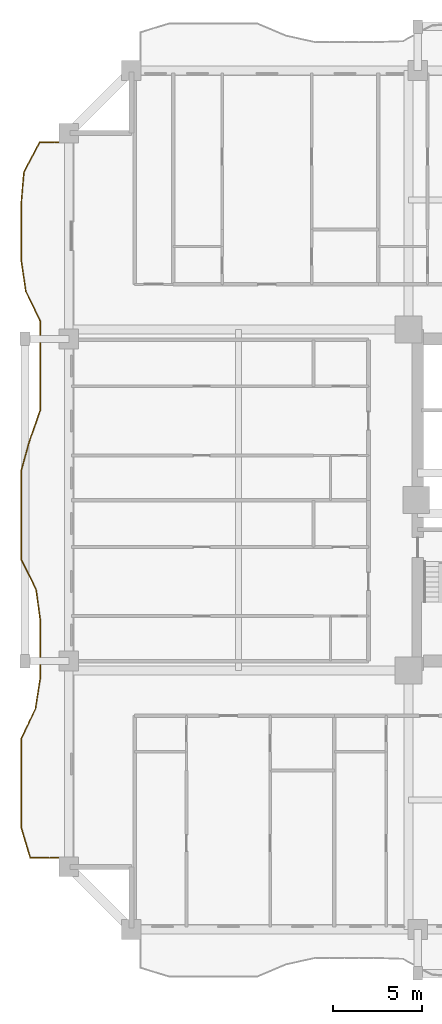
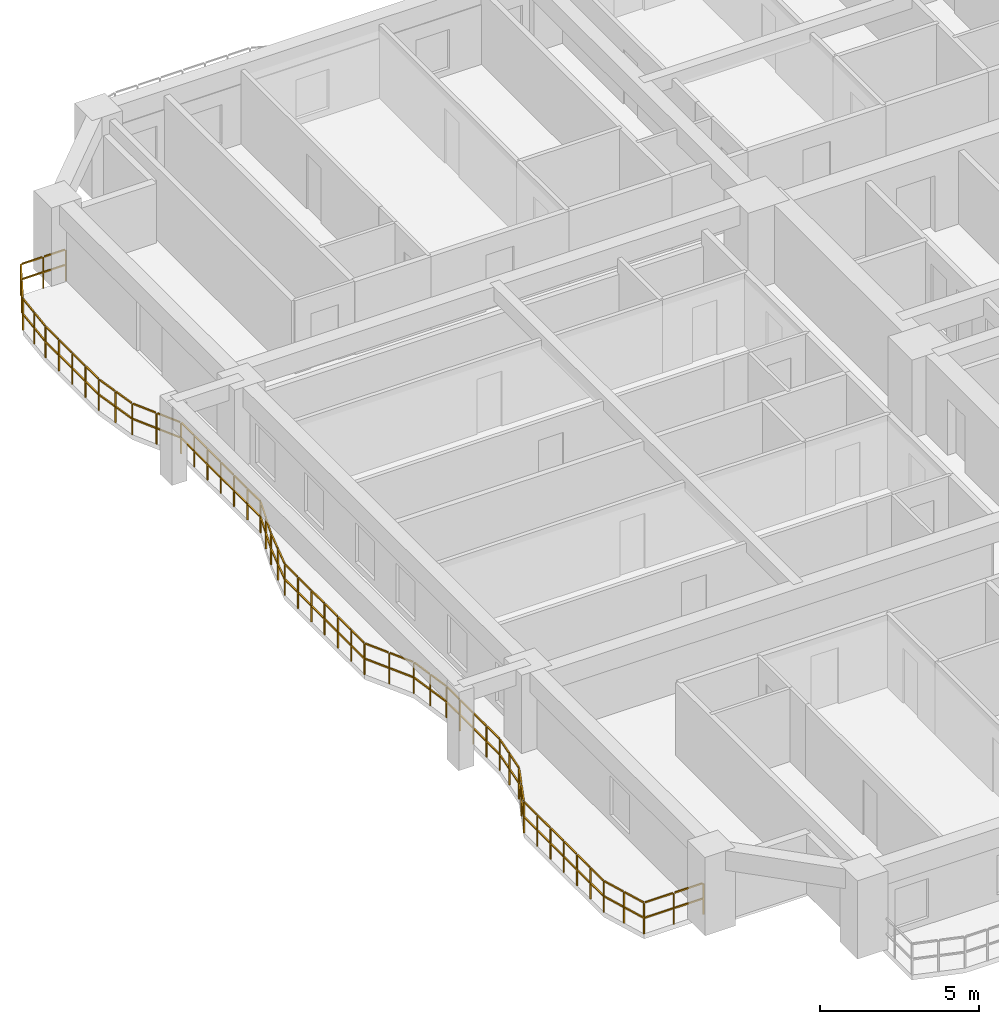
# One storey, part 13 of 18: 1 railing.
"""IFC4 building model written with IfcOpenShell, lengths in metres."""

from ifc_helpers import new_model, si_unit, direction, frame, origin, origin_2d, place, context, subcontext, project, spatial, rectangle, extrude, material, type_object, element, save


model = new_model("IFC4")

# Units and contexts
model_context = context("Model", 3, precision=1e-05, world=origin(), true_north=direction((0.0, 1.0)))
body_context = subcontext(model_context, "Body", "Model", "MODEL_VIEW")
ifc_project = project(units=[si_unit("LENGTHUNIT", "METRE"), si_unit("AREAUNIT", "SQUARE_METRE"), si_unit("VOLUMEUNIT", "CUBIC_METRE"), si_unit("PLANEANGLEUNIT", "RADIAN"), si_unit("MASSUNIT", "GRAM", prefix="KILO")], contexts=[model_context])

# Site, building, storey
site_placement = place(None, origin())
site = spatial("IfcSite", under=ifc_project, at=site_placement, CompositionType="ELEMENT")
building_placement = place(site_placement, origin())
building = spatial("IfcBuilding", under=site, at=building_placement, Name="Saelheon Loggia Tower", CompositionType="ELEMENT")
storey_placement = place(building_placement, frame((0.0, 0.0, 40.39990234375)))
storey = spatial("IfcBuildingStorey", under=building, at=storey_placement, Name="L12", CompositionType="ELEMENT", Elevation=40.39990234375)

# Railing
ifc_material = material(Name="Architectural Precast Concrete and Laminated Glass Guard", Category="concrete")
railing_type = type_object("IfcRailingType", Name="Guard_Loggia_RL_LOG", PredefinedType="BALUSTRADE", material=ifc_material)
railing_placement = place(storey_placement, frame((12.0, 47.0, 0.0)))
element("IfcRailing", 1, at=railing_placement, inside=storey, type_object=railing_type, Name="L12 West Loggia Balustrade", PredefinedType="BALUSTRADE", context=body_context, shape_type="SweptSolid", body=[
    extrude(rectangle(XDim=0.048095703125, YDim=0.048095703125, at=origin_2d()), frame((-0.033203125, 0.0, 1.19580078125), z_axis=(-1.0, 0.0, 0.0), x_axis=(0.0, -1.0, 0.0)), (0.0, 0.0, 1.0), 0.743896484375),
    extrude(rectangle(XDim=0.048095703125, YDim=0.048095703125, at=origin_2d()), frame((-0.033203125, 0.0, 0.60986328125), z_axis=(-1.0, 0.0, 0.0), x_axis=(0.0, -1.0, 0.0)), (0.0, 0.0, 1.0), 0.743896484375),
    extrude(rectangle(XDim=0.048095703125, YDim=0.048095703125, at=origin_2d()), frame((-0.84375, 0.0, 1.19580078125), z_axis=(-1.0, 0.0, 0.0), x_axis=(0.0, -1.0, 0.0)), (0.0, 0.0, 1.0), 0.743896484375),
    extrude(rectangle(XDim=0.048095703125, YDim=0.048095703125, at=origin_2d()), frame((-0.84375, 0.0, 0.60986328125), z_axis=(-1.0, 0.0, 0.0), x_axis=(0.0, -1.0, 0.0)), (0.0, 0.0, 1.0), 0.743896484375),
    extrude(rectangle(XDim=0.048095703125, YDim=0.048095703125, at=origin_2d()), frame((-1.636474609375, -0.029296875, 1.19580078125), z_axis=(-0.469977451422, -0.882678421145, 0.0), x_axis=(0.882678421145, -0.469977451422, 0.0)), (0.0, 0.0, 1.0), 0.877685546875),
    extrude(rectangle(XDim=0.048095703125, YDim=0.048095703125, at=origin_2d()), frame((-1.636474609375, -0.029296875, 0.60986328125), z_axis=(-0.469977451422, -0.882678421145, 0.0), x_axis=(0.882678421145, -0.469977451422, 0.0)), (0.0, 0.0, 1.0), 0.877685546875),
    extrude(rectangle(XDim=0.048095703125, YDim=0.048095703125, at=origin_2d()), frame((-2.080078125, -0.86279296875, 1.19580078125), z_axis=(-0.469977451422, -0.882678421145, 0.0), x_axis=(0.882678421145, -0.469977451422, 0.0)), (0.0, 0.0, 1.0), 0.877685546875),
    extrude(rectangle(XDim=0.048095703125, YDim=0.048095703125, at=origin_2d()), frame((-2.080078125, -0.86279296875, 0.60986328125), z_axis=(-0.469977451422, -0.882678421145, 0.0), x_axis=(0.882678421145, -0.469977451422, 0.0)), (0.0, 0.0, 1.0), 0.877685546875),
    extrude(rectangle(XDim=0.048095703125, YDim=0.048095703125, at=origin_2d()), frame((-2.51123046875, -1.699951171875, 1.19580078125), z_axis=(-0.084664157025, -0.996409544573, 0.0), x_axis=(0.996409544573, -0.084664157025, 0.0)), (0.0, 0.0, 1.0), 0.769775390625),
    extrude(rectangle(XDim=0.048095703125, YDim=0.048095703125, at=origin_2d()), frame((-2.51123046875, -1.699951171875, 0.60986328125), z_axis=(-0.084664157025, -0.996409544573, 0.0), x_axis=(0.996409544573, -0.084664157025, 0.0)), (0.0, 0.0, 1.0), 0.769775390625),
    extrude(rectangle(XDim=0.048095703125, YDim=0.048095703125, at=origin_2d()), frame((-2.58203125, -2.533203125, 1.19580078125), z_axis=(-0.084664157025, -0.996409544573, 0.0), x_axis=(0.996409544573, -0.084664157025, 0.0)), (0.0, 0.0, 1.0), 0.769775390625),
    extrude(rectangle(XDim=0.048095703125, YDim=0.048095703125, at=origin_2d()), frame((-2.58203125, -2.533203125, 0.60986328125), z_axis=(-0.084664157025, -0.996409544573, 0.0), x_axis=(0.996409544573, -0.084664157025, 0.0)), (0.0, 0.0, 1.0), 0.769775390625),
    extrude(rectangle(XDim=0.048095703125, YDim=0.048095703125, at=origin_2d()), frame((-2.64990234375, -3.366455078125, 1.19580078125), z_axis=(0.0, -1.0, 0.0), x_axis=(1.0, 0.0, 0.0)), (0.0, 0.0, 1.0), 0.766845703125),
    extrude(rectangle(XDim=0.048095703125, YDim=0.048095703125, at=origin_2d()), frame((-2.64990234375, -3.366455078125, 0.60986328125), z_axis=(0.0, -1.0, 0.0), x_axis=(1.0, 0.0, 0.0)), (0.0, 0.0, 1.0), 0.766845703125),
    extrude(rectangle(XDim=0.048095703125, YDim=0.048095703125, at=origin_2d()), frame((-2.64990234375, -4.199951171875, 1.19580078125), z_axis=(0.0, -1.0, 0.0), x_axis=(1.0, 0.0, 0.0)), (0.0, 0.0, 1.0), 0.766845703125),
    extrude(rectangle(XDim=0.048095703125, YDim=0.048095703125, at=origin_2d()), frame((-2.64990234375, -4.199951171875, 0.60986328125), z_axis=(0.0, -1.0, 0.0), x_axis=(1.0, 0.0, 0.0)), (0.0, 0.0, 1.0), 0.766845703125),
    extrude(rectangle(XDim=0.048095703125, YDim=0.048095703125, at=origin_2d()), frame((-2.64990234375, -5.033203125, 1.19580078125), z_axis=(0.0, -1.0, 0.0), x_axis=(1.0, 0.0, 0.0)), (0.0, 0.0, 1.0), 0.766845703125),
    extrude(rectangle(XDim=0.048095703125, YDim=0.048095703125, at=origin_2d()), frame((-2.64990234375, -5.033203125, 0.60986328125), z_axis=(0.0, -1.0, 0.0), x_axis=(1.0, 0.0, 0.0)), (0.0, 0.0, 1.0), 0.766845703125),
    extrude(rectangle(XDim=0.048095703125, YDim=0.048095703125, at=origin_2d()), frame((-2.64990234375, -5.86669921875, 1.19580078125), z_axis=(0.0, -1.0, 0.0), x_axis=(1.0, 0.0, 0.0)), (0.0, 0.0, 1.0), 0.766845703125),
    extrude(rectangle(XDim=0.048095703125, YDim=0.048095703125, at=origin_2d()), frame((-2.64990234375, -5.86669921875, 0.60986328125), z_axis=(0.0, -1.0, 0.0), x_axis=(1.0, 0.0, 0.0)), (0.0, 0.0, 1.0), 0.766845703125),
    extrude(rectangle(XDim=0.048095703125, YDim=0.048095703125, at=origin_2d()), frame((-2.64501953125, -6.69970703125, 1.19580078125), z_axis=(0.146937277025, -0.989145811607, 0.0), x_axis=(0.989145811607, 0.146937277025, 0.0)), (0.0, 0.0, 1.0), 0.77587890625),
    extrude(rectangle(XDim=0.048095703125, YDim=0.048095703125, at=origin_2d()), frame((-2.64501953125, -6.69970703125, 0.60986328125), z_axis=(0.146937277025, -0.989145811607, 0.0), x_axis=(0.989145811607, 0.146937277025, 0.0)), (0.0, 0.0, 1.0), 0.77587890625),
    extrude(rectangle(XDim=0.048095703125, YDim=0.048095703125, at=origin_2d()), frame((-2.521240234375, -7.532958984375, 1.19580078125), z_axis=(0.146937277025, -0.989145811607, 0.0), x_axis=(0.989145811607, 0.146937277025, 0.0)), (0.0, 0.0, 1.0), 0.77587890625),
    extrude(rectangle(XDim=0.048095703125, YDim=0.048095703125, at=origin_2d()), frame((-2.521240234375, -7.532958984375, 0.60986328125), z_axis=(0.146937277025, -0.989145811607, 0.0), x_axis=(0.989145811607, 0.146937277025, 0.0)), (0.0, 0.0, 1.0), 0.77587890625),
    extrude(rectangle(XDim=0.048095703125, YDim=0.048095703125, at=origin_2d()), frame((-2.387939453125, -8.36328125, 1.19580078125), z_axis=(0.433700533123, -0.901057072315, 0.0), x_axis=(0.901057072315, 0.433700533123, 0.0)), (0.0, 0.0, 1.0), 0.8583984375),
    extrude(rectangle(XDim=0.048095703125, YDim=0.048095703125, at=origin_2d()), frame((-2.387939453125, -8.36328125, 0.60986328125), z_axis=(0.433700533123, -0.901057072315, 0.0), x_axis=(0.901057072315, 0.433700533123, 0.0)), (0.0, 0.0, 1.0), 0.8583984375),
    extrude(rectangle(XDim=0.048095703125, YDim=0.048095703125, at=origin_2d()), frame((-1.98681640625, -9.196533203125, 1.19580078125), z_axis=(0.433700533123, -0.901057072315, 0.0), x_axis=(0.901057072315, 0.433700533123, 0.0)), (0.0, 0.0, 1.0), 0.8583984375),
    extrude(rectangle(XDim=0.048095703125, YDim=0.048095703125, at=origin_2d()), frame((-1.98681640625, -9.196533203125, 0.60986328125), z_axis=(0.433700533123, -0.901057072315, 0.0), x_axis=(0.901057072315, 0.433700533123, 0.0)), (0.0, 0.0, 1.0), 0.8583984375),
    extrude(rectangle(XDim=0.048095703125, YDim=0.048095703125, at=origin_2d()), frame((-1.60009765625, -10.033203125, 1.19580078125), z_axis=(0.0, -1.0, 0.0), x_axis=(1.0, 0.0, 0.0)), (0.0, 0.0, 1.0), 0.766845703125),
    extrude(rectangle(XDim=0.048095703125, YDim=0.048095703125, at=origin_2d()), frame((-1.60009765625, -10.033203125, 0.60986328125), z_axis=(0.0, -1.0, 0.0), x_axis=(1.0, 0.0, 0.0)), (0.0, 0.0, 1.0), 0.766845703125),
    extrude(rectangle(XDim=0.048095703125, YDim=0.048095703125, at=origin_2d()), frame((-1.60009765625, -10.86669921875, 1.19580078125), z_axis=(0.0, -1.0, 0.0), x_axis=(1.0, 0.0, 0.0)), (0.0, 0.0, 1.0), 0.766845703125),
    extrude(rectangle(XDim=0.048095703125, YDim=0.048095703125, at=origin_2d()), frame((-1.60009765625, -10.86669921875, 0.60986328125), z_axis=(0.0, -1.0, 0.0), x_axis=(1.0, 0.0, 0.0)), (0.0, 0.0, 1.0), 0.766845703125),
    extrude(rectangle(XDim=0.048095703125, YDim=0.048095703125, at=origin_2d()), frame((-1.60009765625, -11.699951171875, 1.19580078125), z_axis=(0.0, -1.0, 0.0), x_axis=(1.0, 0.0, 0.0)), (0.0, 0.0, 1.0), 0.766845703125),
    extrude(rectangle(XDim=0.048095703125, YDim=0.048095703125, at=origin_2d()), frame((-1.60009765625, -11.699951171875, 0.60986328125), z_axis=(0.0, -1.0, 0.0), x_axis=(1.0, 0.0, 0.0)), (0.0, 0.0, 1.0), 0.766845703125),
    extrude(rectangle(XDim=0.048095703125, YDim=0.048095703125, at=origin_2d()), frame((-1.60009765625, -12.533203125, 1.19580078125), z_axis=(0.0, -1.0, 0.0), x_axis=(1.0, 0.0, 0.0)), (0.0, 0.0, 1.0), 0.766845703125),
    extrude(rectangle(XDim=0.048095703125, YDim=0.048095703125, at=origin_2d()), frame((-1.60009765625, -12.533203125, 0.60986328125), z_axis=(0.0, -1.0, 0.0), x_axis=(1.0, 0.0, 0.0)), (0.0, 0.0, 1.0), 0.766845703125),
    extrude(rectangle(XDim=0.048095703125, YDim=0.048095703125, at=origin_2d()), frame((-1.60009765625, -13.366455078125, 1.19580078125), z_axis=(0.0, -1.0, 0.0), x_axis=(1.0, 0.0, 0.0)), (0.0, 0.0, 1.0), 0.766845703125),
    extrude(rectangle(XDim=0.048095703125, YDim=0.048095703125, at=origin_2d()), frame((-1.60009765625, -13.366455078125, 0.60986328125), z_axis=(0.0, -1.0, 0.0), x_axis=(1.0, 0.0, 0.0)), (0.0, 0.0, 1.0), 0.766845703125),
    extrude(rectangle(XDim=0.048095703125, YDim=0.048095703125, at=origin_2d()), frame((-1.60009765625, -14.199951171875, 1.19580078125), z_axis=(0.0, -1.0, 0.0), x_axis=(1.0, 0.0, 0.0)), (0.0, 0.0, 1.0), 0.766845703125),
    extrude(rectangle(XDim=0.048095703125, YDim=0.048095703125, at=origin_2d()), frame((-1.60009765625, -14.199951171875, 0.60986328125), z_axis=(0.0, -1.0, 0.0), x_axis=(1.0, 0.0, 0.0)), (0.0, 0.0, 1.0), 0.766845703125),
    extrude(rectangle(XDim=0.048095703125, YDim=0.048095703125, at=origin_2d()), frame((-1.611083984375, -15.03125, 1.19580078125), z_axis=(-0.331771864705, -0.943359650287, 0.0), x_axis=(0.943359650287, -0.331771864705, 0.0)), (0.0, 0.0, 1.0), 0.81689453125),
    extrude(rectangle(XDim=0.048095703125, YDim=0.048095703125, at=origin_2d()), frame((-1.611083984375, -15.03125, 0.60986328125), z_axis=(-0.331771864705, -0.943359650287, 0.0), x_axis=(0.943359650287, -0.331771864705, 0.0)), (0.0, 0.0, 1.0), 0.81689453125),
    extrude(rectangle(XDim=0.048095703125, YDim=0.048095703125, at=origin_2d()), frame((-1.904296875, -15.86474609375, 1.19580078125), z_axis=(-0.331771864705, -0.943359650287, 0.0), x_axis=(0.943359650287, -0.331771864705, 0.0)), (0.0, 0.0, 1.0), 0.81689453125),
    extrude(rectangle(XDim=0.048095703125, YDim=0.048095703125, at=origin_2d()), frame((-1.904296875, -15.86474609375, 0.60986328125), z_axis=(-0.331771864705, -0.943359650287, 0.0), x_axis=(0.943359650287, -0.331771864705, 0.0)), (0.0, 0.0, 1.0), 0.81689453125),
    extrude(rectangle(XDim=0.048095703125, YDim=0.048095703125, at=origin_2d()), frame((-2.195068359375, -16.69873046875, 1.19580078125), z_axis=(-0.268022369816, -0.963412688975, 0.0), x_axis=(0.963412688975, -0.268022369816, 0.0)), (0.0, 0.0, 1.0), 0.79833984375),
    extrude(rectangle(XDim=0.048095703125, YDim=0.048095703125, at=origin_2d()), frame((-2.195068359375, -16.69873046875, 0.60986328125), z_axis=(-0.268022369816, -0.963412688975, 0.0), x_axis=(0.963412688975, -0.268022369816, 0.0)), (0.0, 0.0, 1.0), 0.79833984375),
    extrude(rectangle(XDim=0.048095703125, YDim=0.048095703125, at=origin_2d()), frame((-2.427001953125, -17.531982421875, 1.19580078125), z_axis=(-0.268022369816, -0.963412688975, 0.0), x_axis=(0.963412688975, -0.268022369816, 0.0)), (0.0, 0.0, 1.0), 0.79833984375),
    extrude(rectangle(XDim=0.048095703125, YDim=0.048095703125, at=origin_2d()), frame((-2.427001953125, -17.531982421875, 0.60986328125), z_axis=(-0.268022369816, -0.963412688975, 0.0), x_axis=(0.963412688975, -0.268022369816, 0.0)), (0.0, 0.0, 1.0), 0.79833984375),
    extrude(rectangle(XDim=0.048095703125, YDim=0.048095703125, at=origin_2d()), frame((-2.64990234375, -18.366455078125, 1.19580078125), z_axis=(0.0, -1.0, 0.0), x_axis=(1.0, 0.0, 0.0)), (0.0, 0.0, 1.0), 0.766845703125),
    extrude(rectangle(XDim=0.048095703125, YDim=0.048095703125, at=origin_2d()), frame((-2.64990234375, -18.366455078125, 0.60986328125), z_axis=(0.0, -1.0, 0.0), x_axis=(1.0, 0.0, 0.0)), (0.0, 0.0, 1.0), 0.766845703125),
    extrude(rectangle(XDim=0.048095703125, YDim=0.048095703125, at=origin_2d()), frame((-2.64990234375, -19.199951171875, 1.19580078125), z_axis=(0.0, -1.0, 0.0), x_axis=(1.0, 0.0, 0.0)), (0.0, 0.0, 1.0), 0.766845703125),
    extrude(rectangle(XDim=0.048095703125, YDim=0.048095703125, at=origin_2d()), frame((-2.64990234375, -19.199951171875, 0.60986328125), z_axis=(0.0, -1.0, 0.0), x_axis=(1.0, 0.0, 0.0)), (0.0, 0.0, 1.0), 0.766845703125),
    extrude(rectangle(XDim=0.048095703125, YDim=0.048095703125, at=origin_2d()), frame((-2.64990234375, -20.033203125, 1.19580078125), z_axis=(0.0, -1.0, 0.0), x_axis=(1.0, 0.0, 0.0)), (0.0, 0.0, 1.0), 0.766845703125),
    extrude(rectangle(XDim=0.048095703125, YDim=0.048095703125, at=origin_2d()), frame((-2.64990234375, -20.033203125, 0.60986328125), z_axis=(0.0, -1.0, 0.0), x_axis=(1.0, 0.0, 0.0)), (0.0, 0.0, 1.0), 0.766845703125),
    extrude(rectangle(XDim=0.048095703125, YDim=0.048095703125, at=origin_2d()), frame((-2.64990234375, -20.86669921875, 1.19580078125), z_axis=(0.0, -1.0, 0.0), x_axis=(1.0, 0.0, 0.0)), (0.0, 0.0, 1.0), 0.766845703125),
    extrude(rectangle(XDim=0.048095703125, YDim=0.048095703125, at=origin_2d()), frame((-2.64990234375, -20.86669921875, 0.60986328125), z_axis=(0.0, -1.0, 0.0), x_axis=(1.0, 0.0, 0.0)), (0.0, 0.0, 1.0), 0.766845703125),
    extrude(rectangle(XDim=0.048095703125, YDim=0.048095703125, at=origin_2d()), frame((-2.64990234375, -21.699951171875, 1.19580078125), z_axis=(0.0, -1.0, 0.0), x_axis=(1.0, 0.0, 0.0)), (0.0, 0.0, 1.0), 0.766845703125),
    extrude(rectangle(XDim=0.048095703125, YDim=0.048095703125, at=origin_2d()), frame((-2.64990234375, -21.699951171875, 0.60986328125), z_axis=(0.0, -1.0, 0.0), x_axis=(1.0, 0.0, 0.0)), (0.0, 0.0, 1.0), 0.766845703125),
    extrude(rectangle(XDim=0.048095703125, YDim=0.048095703125, at=origin_2d()), frame((-2.64990234375, -22.533203125, 1.19580078125), z_axis=(0.0, -1.0, 0.0), x_axis=(1.0, 0.0, 0.0)), (0.0, 0.0, 1.0), 0.766845703125),
    extrude(rectangle(XDim=0.048095703125, YDim=0.048095703125, at=origin_2d()), frame((-2.64990234375, -22.533203125, 0.60986328125), z_axis=(0.0, -1.0, 0.0), x_axis=(1.0, 0.0, 0.0)), (0.0, 0.0, 1.0), 0.766845703125),
    extrude(rectangle(XDim=0.048095703125, YDim=0.048095703125, at=origin_2d()), frame((-2.63525390625, -23.363037109375, 1.19580078125), z_axis=(0.442742508553, -0.896648800323, 0.0), x_axis=(0.896648800323, 0.442742508553, 0.0)), (0.0, 0.0, 1.0), 0.863037109375),
    extrude(rectangle(XDim=0.048095703125, YDim=0.048095703125, at=origin_2d()), frame((-2.63525390625, -23.363037109375, 0.60986328125), z_axis=(0.442742508553, -0.896648800323, 0.0), x_axis=(0.896648800323, 0.442742508553, 0.0)), (0.0, 0.0, 1.0), 0.863037109375),
    extrude(rectangle(XDim=0.048095703125, YDim=0.048095703125, at=origin_2d()), frame((-2.2236328125, -24.196533203125, 1.19580078125), z_axis=(0.442742508553, -0.896648800323, 0.0), x_axis=(0.896648800323, 0.442742508553, 0.0)), (0.0, 0.0, 1.0), 0.863037109375),
    extrude(rectangle(XDim=0.048095703125, YDim=0.048095703125, at=origin_2d()), frame((-2.2236328125, -24.196533203125, 0.60986328125), z_axis=(0.442742508553, -0.896648800323, 0.0), x_axis=(0.896648800323, 0.442742508553, 0.0)), (0.0, 0.0, 1.0), 0.863037109375),
    extrude(rectangle(XDim=0.048095703125, YDim=0.048095703125, at=origin_2d()), frame((-1.822509765625, -25.032958984375, 1.19580078125), z_axis=(0.134834696212, -0.99086810661, 0.0), x_axis=(0.99086810661, 0.134834696212, 0.0)), (0.0, 0.0, 1.0), 0.774658203125),
    extrude(rectangle(XDim=0.048095703125, YDim=0.048095703125, at=origin_2d()), frame((-1.822509765625, -25.032958984375, 0.60986328125), z_axis=(0.134834696212, -0.99086810661, 0.0), x_axis=(0.99086810661, 0.134834696212, 0.0)), (0.0, 0.0, 1.0), 0.774658203125),
    extrude(rectangle(XDim=0.048095703125, YDim=0.048095703125, at=origin_2d()), frame((-1.708984375, -25.8662109375, 1.19580078125), z_axis=(0.134834696212, -0.99086810661, 0.0), x_axis=(0.99086810661, 0.134834696212, 0.0)), (0.0, 0.0, 1.0), 0.774658203125),
    extrude(rectangle(XDim=0.048095703125, YDim=0.048095703125, at=origin_2d()), frame((-1.708984375, -25.8662109375, 0.60986328125), z_axis=(0.134834696212, -0.99086810661, 0.0), x_axis=(0.99086810661, 0.134834696212, 0.0)), (0.0, 0.0, 1.0), 0.774658203125),
    extrude(rectangle(XDim=0.048095703125, YDim=0.048095703125, at=origin_2d()), frame((-1.60009765625, -26.699951171875, 1.19580078125), z_axis=(0.0, -1.0, 0.0), x_axis=(1.0, 0.0, 0.0)), (0.0, 0.0, 1.0), 0.766845703125),
    extrude(rectangle(XDim=0.048095703125, YDim=0.048095703125, at=origin_2d()), frame((-1.60009765625, -26.699951171875, 0.60986328125), z_axis=(0.0, -1.0, 0.0), x_axis=(1.0, 0.0, 0.0)), (0.0, 0.0, 1.0), 0.766845703125),
    extrude(rectangle(XDim=0.048095703125, YDim=0.048095703125, at=origin_2d()), frame((-1.60009765625, -27.533203125, 1.19580078125), z_axis=(0.0, -1.0, 0.0), x_axis=(1.0, 0.0, 0.0)), (0.0, 0.0, 1.0), 0.766845703125),
    extrude(rectangle(XDim=0.048095703125, YDim=0.048095703125, at=origin_2d()), frame((-1.60009765625, -27.533203125, 0.60986328125), z_axis=(0.0, -1.0, 0.0), x_axis=(1.0, 0.0, 0.0)), (0.0, 0.0, 1.0), 0.766845703125),
    extrude(rectangle(XDim=0.048095703125, YDim=0.048095703125, at=origin_2d()), frame((-1.60009765625, -28.366455078125, 1.19580078125), z_axis=(0.0, -1.0, 0.0), x_axis=(1.0, 0.0, 0.0)), (0.0, 0.0, 1.0), 0.766845703125),
    extrude(rectangle(XDim=0.048095703125, YDim=0.048095703125, at=origin_2d()), frame((-1.60009765625, -28.366455078125, 0.60986328125), z_axis=(0.0, -1.0, 0.0), x_axis=(1.0, 0.0, 0.0)), (0.0, 0.0, 1.0), 0.766845703125),
    extrude(rectangle(XDim=0.048095703125, YDim=0.048095703125, at=origin_2d()), frame((-1.60009765625, -29.199951171875, 1.19580078125), z_axis=(0.0, -1.0, 0.0), x_axis=(1.0, 0.0, 0.0)), (0.0, 0.0, 1.0), 0.766845703125),
    extrude(rectangle(XDim=0.048095703125, YDim=0.048095703125, at=origin_2d()), frame((-1.60009765625, -29.199951171875, 0.60986328125), z_axis=(0.0, -1.0, 0.0), x_axis=(1.0, 0.0, 0.0)), (0.0, 0.0, 1.0), 0.766845703125),
    extrude(rectangle(XDim=0.048095703125, YDim=0.048095703125, at=origin_2d()), frame((-1.605224609375, -30.03271484375, 1.19580078125), z_axis=(-0.155405267193, -0.987850799933, 0.0), x_axis=(0.987850799933, -0.155405267193, 0.0)), (0.0, 0.0, 1.0), 0.777099609375),
    extrude(rectangle(XDim=0.048095703125, YDim=0.048095703125, at=origin_2d()), frame((-1.605224609375, -30.03271484375, 0.60986328125), z_axis=(-0.155405267193, -0.987850799933, 0.0), x_axis=(0.987850799933, -0.155405267193, 0.0)), (0.0, 0.0, 1.0), 0.777099609375),
    extrude(rectangle(XDim=0.048095703125, YDim=0.048095703125, at=origin_2d()), frame((-1.736328125, -30.8662109375, 1.19580078125), z_axis=(-0.155405267193, -0.987850799933, 0.0), x_axis=(0.987850799933, -0.155405267193, 0.0)), (0.0, 0.0, 1.0), 0.777099609375),
    extrude(rectangle(XDim=0.048095703125, YDim=0.048095703125, at=origin_2d()), frame((-1.736328125, -30.8662109375, 0.60986328125), z_axis=(-0.155405267193, -0.987850799933, 0.0), x_axis=(0.987850799933, -0.155405267193, 0.0)), (0.0, 0.0, 1.0), 0.777099609375),
    extrude(rectangle(XDim=0.048095703125, YDim=0.048095703125, at=origin_2d()), frame((-1.87646484375, -31.69677734375, 1.19580078125), z_axis=(-0.427289070921, -0.904115064509, 0.0), x_axis=(0.904115064509, -0.427289070921, 0.0)), (0.0, 0.0, 1.0), 0.855224609375),
    extrude(rectangle(XDim=0.048095703125, YDim=0.048095703125, at=origin_2d()), frame((-1.87646484375, -31.69677734375, 0.60986328125), z_axis=(-0.427289070921, -0.904115064509, 0.0), x_axis=(0.904115064509, -0.427289070921, 0.0)), (0.0, 0.0, 1.0), 0.855224609375),
    extrude(rectangle(XDim=0.048095703125, YDim=0.048095703125, at=origin_2d()), frame((-2.270263671875, -32.530029296875, 1.19580078125), z_axis=(-0.427289070921, -0.904115064509, 0.0), x_axis=(0.904115064509, -0.427289070921, 0.0)), (0.0, 0.0, 1.0), 0.855224609375),
    extrude(rectangle(XDim=0.048095703125, YDim=0.048095703125, at=origin_2d()), frame((-2.270263671875, -32.530029296875, 0.60986328125), z_axis=(-0.427289070921, -0.904115064509, 0.0), x_axis=(0.904115064509, -0.427289070921, 0.0)), (0.0, 0.0, 1.0), 0.855224609375),
    extrude(rectangle(XDim=0.048095703125, YDim=0.048095703125, at=origin_2d()), frame((-2.64990234375, -33.366455078125, 1.19580078125), z_axis=(0.0, -1.0, 0.0), x_axis=(1.0, 0.0, 0.0)), (0.0, 0.0, 1.0), 0.766845703125),
    extrude(rectangle(XDim=0.048095703125, YDim=0.048095703125, at=origin_2d()), frame((-2.64990234375, -33.366455078125, 0.60986328125), z_axis=(0.0, -1.0, 0.0), x_axis=(1.0, 0.0, 0.0)), (0.0, 0.0, 1.0), 0.766845703125),
    extrude(rectangle(XDim=0.048095703125, YDim=0.048095703125, at=origin_2d()), frame((-2.64990234375, -34.199951171875, 1.19580078125), z_axis=(0.0, -1.0, 0.0), x_axis=(1.0, 0.0, 0.0)), (0.0, 0.0, 1.0), 0.766845703125),
    extrude(rectangle(XDim=0.048095703125, YDim=0.048095703125, at=origin_2d()), frame((-2.64990234375, -34.199951171875, 0.60986328125), z_axis=(0.0, -1.0, 0.0), x_axis=(1.0, 0.0, 0.0)), (0.0, 0.0, 1.0), 0.766845703125),
    extrude(rectangle(XDim=0.048095703125, YDim=0.048095703125, at=origin_2d()), frame((-2.64990234375, -35.033203125, 1.19580078125), z_axis=(0.0, -1.0, 0.0), x_axis=(1.0, 0.0, 0.0)), (0.0, 0.0, 1.0), 0.766845703125),
    extrude(rectangle(XDim=0.048095703125, YDim=0.048095703125, at=origin_2d()), frame((-2.64990234375, -35.033203125, 0.60986328125), z_axis=(0.0, -1.0, 0.0), x_axis=(1.0, 0.0, 0.0)), (0.0, 0.0, 1.0), 0.766845703125),
    extrude(rectangle(XDim=0.048095703125, YDim=0.048095703125, at=origin_2d()), frame((-2.64990234375, -35.86669921875, 1.19580078125), z_axis=(0.0, -1.0, 0.0), x_axis=(1.0, 0.0, 0.0)), (0.0, 0.0, 1.0), 0.766845703125),
    extrude(rectangle(XDim=0.048095703125, YDim=0.048095703125, at=origin_2d()), frame((-2.64990234375, -35.86669921875, 0.60986328125), z_axis=(0.0, -1.0, 0.0), x_axis=(1.0, 0.0, 0.0)), (0.0, 0.0, 1.0), 0.766845703125),
    extrude(rectangle(XDim=0.048095703125, YDim=0.048095703125, at=origin_2d()), frame((-2.64990234375, -36.699951171875, 1.19580078125), z_axis=(0.0, -1.0, 0.0), x_axis=(1.0, 0.0, 0.0)), (0.0, 0.0, 1.0), 0.766845703125),
    extrude(rectangle(XDim=0.048095703125, YDim=0.048095703125, at=origin_2d()), frame((-2.64990234375, -36.699951171875, 0.60986328125), z_axis=(0.0, -1.0, 0.0), x_axis=(1.0, 0.0, 0.0)), (0.0, 0.0, 1.0), 0.766845703125),
    extrude(rectangle(XDim=0.048095703125, YDim=0.048095703125, at=origin_2d()), frame((-2.64990234375, -37.533203125, 1.19580078125), z_axis=(0.0, -1.0, 0.0), x_axis=(1.0, 0.0, 0.0)), (0.0, 0.0, 1.0), 0.766845703125),
    extrude(rectangle(XDim=0.048095703125, YDim=0.048095703125, at=origin_2d()), frame((-2.64990234375, -37.533203125, 0.60986328125), z_axis=(0.0, -1.0, 0.0), x_axis=(1.0, 0.0, 0.0)), (0.0, 0.0, 1.0), 0.766845703125),
    extrude(rectangle(XDim=0.048095703125, YDim=0.048095703125, at=origin_2d()), frame((-2.640380859375, -38.364990234375, 1.19580078125), z_axis=(0.287335013953, -0.957830146611, 0.0), x_axis=(0.957830146611, 0.287335013953, 0.0)), (0.0, 0.0, 1.0), 0.8037109375),
    extrude(rectangle(XDim=0.048095703125, YDim=0.048095703125, at=origin_2d()), frame((-2.640380859375, -38.364990234375, 0.60986328125), z_axis=(0.287335013953, -0.957830146611, 0.0), x_axis=(0.957830146611, 0.287335013953, 0.0)), (0.0, 0.0, 1.0), 0.8037109375),
    extrude(rectangle(XDim=0.048095703125, YDim=0.048095703125, at=origin_2d()), frame((-2.390380859375, -39.198486328125, 1.19580078125), z_axis=(0.287335013953, -0.957830146611, 0.0), x_axis=(0.957830146611, 0.287335013953, 0.0)), (0.0, 0.0, 1.0), 0.8037109375),
    extrude(rectangle(XDim=0.048095703125, YDim=0.048095703125, at=origin_2d()), frame((-2.390380859375, -39.198486328125, 0.60986328125), z_axis=(0.287335013953, -0.957830146611, 0.0), x_axis=(0.957830146611, 0.287335013953, 0.0)), (0.0, 0.0, 1.0), 0.8037109375),
    extrude(rectangle(XDim=0.048095703125, YDim=0.048095703125, at=origin_2d()), frame((-2.11669921875, -40.0, 1.19580078125), z_axis=(1.0, 0.0, 0.0), x_axis=(0.0, 1.0, 0.0)), (0.0, 0.0, 1.0), 1.008544921875),
    extrude(rectangle(XDim=0.048095703125, YDim=0.048095703125, at=origin_2d()), frame((-2.11669921875, -40.0, 0.60986328125), z_axis=(1.0, 0.0, 0.0), x_axis=(0.0, 1.0, 0.0)), (0.0, 0.0, 1.0), 1.008544921875),
    extrude(rectangle(XDim=0.048095703125, YDim=0.048095703125, at=origin_2d()), frame((-1.041748046875, -40.0, 1.19580078125), z_axis=(1.0, 0.0, 0.0), x_axis=(0.0, 1.0, 0.0)), (0.0, 0.0, 1.0), 1.008544921875),
    extrude(rectangle(XDim=0.048095703125, YDim=0.048095703125, at=origin_2d()), frame((-1.041748046875, -40.0, 0.60986328125), z_axis=(1.0, 0.0, 0.0), x_axis=(0.0, 1.0, 0.0)), (0.0, 0.0, 1.0), 1.008544921875),
    extrude(rectangle(XDim=0.0419921875, YDim=0.0419921875, at=origin_2d()), origin(), (0.0, 0.0, 1.0), 1.16796875),
    extrude(rectangle(XDim=0.0419921875, YDim=0.0419921875, at=origin_2d()), frame((-0.810546875, 0.0, 0.0)), (0.0, 0.0, 1.0), 1.16796875),
    extrude(rectangle(XDim=0.0419921875, YDim=0.0419921875, at=origin_2d()), frame((-1.620849609375, 0.0, 0.0)), (0.0, 0.0, 1.0), 1.16796875),
    extrude(rectangle(XDim=0.0419921875, YDim=0.0419921875, at=origin_2d()), frame((-2.064453125, -0.83349609375, 0.0)), (0.0, 0.0, 1.0), 1.16796875),
    extrude(rectangle(XDim=0.0419921875, YDim=0.0419921875, at=origin_2d()), frame((-2.50830078125, -1.666748046875, 0.0)), (0.0, 0.0, 1.0), 1.16796875),
    extrude(rectangle(XDim=0.0419921875, YDim=0.0419921875, at=origin_2d()), frame((-2.5791015625, -2.5, 0.0)), (0.0, 0.0, 1.0), 1.16796875),
    extrude(rectangle(XDim=0.0419921875, YDim=0.0419921875, at=origin_2d()), frame((-2.64990234375, -3.333251953125, 0.0)), (0.0, 0.0, 1.0), 1.16796875),
    extrude(rectangle(XDim=0.0419921875, YDim=0.0419921875, at=origin_2d()), frame((-2.64990234375, -4.16650390625, 0.0)), (0.0, 0.0, 1.0), 1.16796875),
    extrude(rectangle(XDim=0.0419921875, YDim=0.0419921875, at=origin_2d()), frame((-2.64990234375, -5.0, 0.0)), (0.0, 0.0, 1.0), 1.16796875),
    extrude(rectangle(XDim=0.0419921875, YDim=0.0419921875, at=origin_2d()), frame((-2.64990234375, -5.83349609375, 0.0)), (0.0, 0.0, 1.0), 1.16796875),
    extrude(rectangle(XDim=0.0419921875, YDim=0.0419921875, at=origin_2d()), frame((-2.64990234375, -6.666748046875, 0.0)), (0.0, 0.0, 1.0), 1.16796875),
    extrude(rectangle(XDim=0.0419921875, YDim=0.0419921875, at=origin_2d()), frame((-2.526123046875, -7.5, 0.0)), (0.0, 0.0, 1.0), 1.16796875),
    extrude(rectangle(XDim=0.0419921875, YDim=0.0419921875, at=origin_2d()), frame((-2.40234375, -8.333251953125, 0.0)), (0.0, 0.0, 1.0), 1.16796875),
    extrude(rectangle(XDim=0.0419921875, YDim=0.0419921875, at=origin_2d()), frame((-2.001220703125, -9.16650390625, 0.0)), (0.0, 0.0, 1.0), 1.16796875),
    extrude(rectangle(XDim=0.0419921875, YDim=0.0419921875, at=origin_2d()), frame((-1.60009765625, -10.0, 0.0)), (0.0, 0.0, 1.0), 1.16796875),
    extrude(rectangle(XDim=0.0419921875, YDim=0.0419921875, at=origin_2d()), frame((-1.60009765625, -10.83349609375, 0.0)), (0.0, 0.0, 1.0), 1.16796875),
    extrude(rectangle(XDim=0.0419921875, YDim=0.0419921875, at=origin_2d()), frame((-1.60009765625, -11.666748046875, 0.0)), (0.0, 0.0, 1.0), 1.16796875),
    extrude(rectangle(XDim=0.0419921875, YDim=0.0419921875, at=origin_2d()), frame((-1.60009765625, -12.5, 0.0)), (0.0, 0.0, 1.0), 1.16796875),
    extrude(rectangle(XDim=0.0419921875, YDim=0.0419921875, at=origin_2d()), frame((-1.60009765625, -13.333251953125, 0.0)), (0.0, 0.0, 1.0), 1.16796875),
    extrude(rectangle(XDim=0.0419921875, YDim=0.0419921875, at=origin_2d()), frame((-1.60009765625, -14.16650390625, 0.0)), (0.0, 0.0, 1.0), 1.16796875),
    extrude(rectangle(XDim=0.0419921875, YDim=0.0419921875, at=origin_2d()), frame((-1.60009765625, -15.0, 0.0)), (0.0, 0.0, 1.0), 1.16796875),
    extrude(rectangle(XDim=0.0419921875, YDim=0.0419921875, at=origin_2d()), frame((-1.89306640625, -15.83349609375, 0.0)), (0.0, 0.0, 1.0), 1.16796875),
    extrude(rectangle(XDim=0.0419921875, YDim=0.0419921875, at=origin_2d()), frame((-2.186279296875, -16.666748046875, 0.0)), (0.0, 0.0, 1.0), 1.16796875),
    extrude(rectangle(XDim=0.0419921875, YDim=0.0419921875, at=origin_2d()), frame((-2.41796875, -17.5, 0.0)), (0.0, 0.0, 1.0), 1.16796875),
    extrude(rectangle(XDim=0.0419921875, YDim=0.0419921875, at=origin_2d()), frame((-2.64990234375, -18.333251953125, 0.0)), (0.0, 0.0, 1.0), 1.16796875),
    extrude(rectangle(XDim=0.0419921875, YDim=0.0419921875, at=origin_2d()), frame((-2.64990234375, -19.16650390625, 0.0)), (0.0, 0.0, 1.0), 1.16796875),
    extrude(rectangle(XDim=0.0419921875, YDim=0.0419921875, at=origin_2d()), frame((-2.64990234375, -20.0, 0.0)), (0.0, 0.0, 1.0), 1.16796875),
    extrude(rectangle(XDim=0.0419921875, YDim=0.0419921875, at=origin_2d()), frame((-2.64990234375, -20.83349609375, 0.0)), (0.0, 0.0, 1.0), 1.16796875),
    extrude(rectangle(XDim=0.0419921875, YDim=0.0419921875, at=origin_2d()), frame((-2.64990234375, -21.666748046875, 0.0)), (0.0, 0.0, 1.0), 1.16796875),
    extrude(rectangle(XDim=0.0419921875, YDim=0.0419921875, at=origin_2d()), frame((-2.64990234375, -22.5, 0.0)), (0.0, 0.0, 1.0), 1.16796875),
    extrude(rectangle(XDim=0.0419921875, YDim=0.0419921875, at=origin_2d()), frame((-2.64990234375, -23.333251953125, 0.0)), (0.0, 0.0, 1.0), 1.16796875),
    extrude(rectangle(XDim=0.0419921875, YDim=0.0419921875, at=origin_2d()), frame((-2.23828125, -24.16650390625, 0.0)), (0.0, 0.0, 1.0), 1.16796875),
    extrude(rectangle(XDim=0.0419921875, YDim=0.0419921875, at=origin_2d()), frame((-1.826904296875, -25.0, 0.0)), (0.0, 0.0, 1.0), 1.16796875),
    extrude(rectangle(XDim=0.0419921875, YDim=0.0419921875, at=origin_2d()), frame((-1.71337890625, -25.83349609375, 0.0)), (0.0, 0.0, 1.0), 1.16796875),
    extrude(rectangle(XDim=0.0419921875, YDim=0.0419921875, at=origin_2d()), frame((-1.60009765625, -26.666748046875, 0.0)), (0.0, 0.0, 1.0), 1.16796875),
    extrude(rectangle(XDim=0.0419921875, YDim=0.0419921875, at=origin_2d()), frame((-1.60009765625, -27.5, 0.0)), (0.0, 0.0, 1.0), 1.16796875),
    extrude(rectangle(XDim=0.0419921875, YDim=0.0419921875, at=origin_2d()), frame((-1.60009765625, -28.333251953125, 0.0)), (0.0, 0.0, 1.0), 1.16796875),
    extrude(rectangle(XDim=0.0419921875, YDim=0.0419921875, at=origin_2d()), frame((-1.60009765625, -29.16650390625, 0.0)), (0.0, 0.0, 1.0), 1.16796875),
    extrude(rectangle(XDim=0.0419921875, YDim=0.0419921875, at=origin_2d()), frame((-1.60009765625, -30.0, 0.0)), (0.0, 0.0, 1.0), 1.16796875),
    extrude(rectangle(XDim=0.0419921875, YDim=0.0419921875, at=origin_2d()), frame((-1.731201171875, -30.83349609375, 0.0)), (0.0, 0.0, 1.0), 1.16796875),
    extrude(rectangle(XDim=0.0419921875, YDim=0.0419921875, at=origin_2d()), frame((-1.8623046875, -31.666748046875, 0.0)), (0.0, 0.0, 1.0), 1.16796875),
    extrude(rectangle(XDim=0.0419921875, YDim=0.0419921875, at=origin_2d()), frame((-2.256103515625, -32.5, 0.0)), (0.0, 0.0, 1.0), 1.16796875),
    extrude(rectangle(XDim=0.0419921875, YDim=0.0419921875, at=origin_2d()), frame((-2.64990234375, -33.333251953125, 0.0)), (0.0, 0.0, 1.0), 1.16796875),
    extrude(rectangle(XDim=0.0419921875, YDim=0.0419921875, at=origin_2d()), frame((-2.64990234375, -34.16650390625, 0.0)), (0.0, 0.0, 1.0), 1.16796875),
    extrude(rectangle(XDim=0.0419921875, YDim=0.0419921875, at=origin_2d()), frame((-2.64990234375, -35.0, 0.0)), (0.0, 0.0, 1.0), 1.16796875),
    extrude(rectangle(XDim=0.0419921875, YDim=0.0419921875, at=origin_2d()), frame((-2.64990234375, -35.83349609375, 0.0)), (0.0, 0.0, 1.0), 1.16796875),
    extrude(rectangle(XDim=0.0419921875, YDim=0.0419921875, at=origin_2d()), frame((-2.64990234375, -36.666748046875, 0.0)), (0.0, 0.0, 1.0), 1.16796875),
    extrude(rectangle(XDim=0.0419921875, YDim=0.0419921875, at=origin_2d()), frame((-2.64990234375, -37.5, 0.0)), (0.0, 0.0, 1.0), 1.16796875),
    extrude(rectangle(XDim=0.0419921875, YDim=0.0419921875, at=origin_2d()), frame((-2.64990234375, -38.333251953125, 0.0)), (0.0, 0.0, 1.0), 1.16796875),
    extrude(rectangle(XDim=0.0419921875, YDim=0.0419921875, at=origin_2d()), frame((-2.39990234375, -39.16650390625, 0.0)), (0.0, 0.0, 1.0), 1.16796875),
    extrude(rectangle(XDim=0.0419921875, YDim=0.0419921875, at=origin_2d()), frame((-2.14990234375, -40.0, 0.0)), (0.0, 0.0, 1.0), 1.16796875),
    extrude(rectangle(XDim=0.0419921875, YDim=0.0419921875, at=origin_2d()), frame((-1.074951171875, -40.0, 0.0)), (0.0, 0.0, 1.0), 1.16796875),
    extrude(rectangle(XDim=0.0419921875, YDim=0.0419921875, at=origin_2d()), frame((0.0, -40.0, 0.0)), (0.0, 0.0, 1.0), 1.16796875),
])

save(model, "model.ifc")
